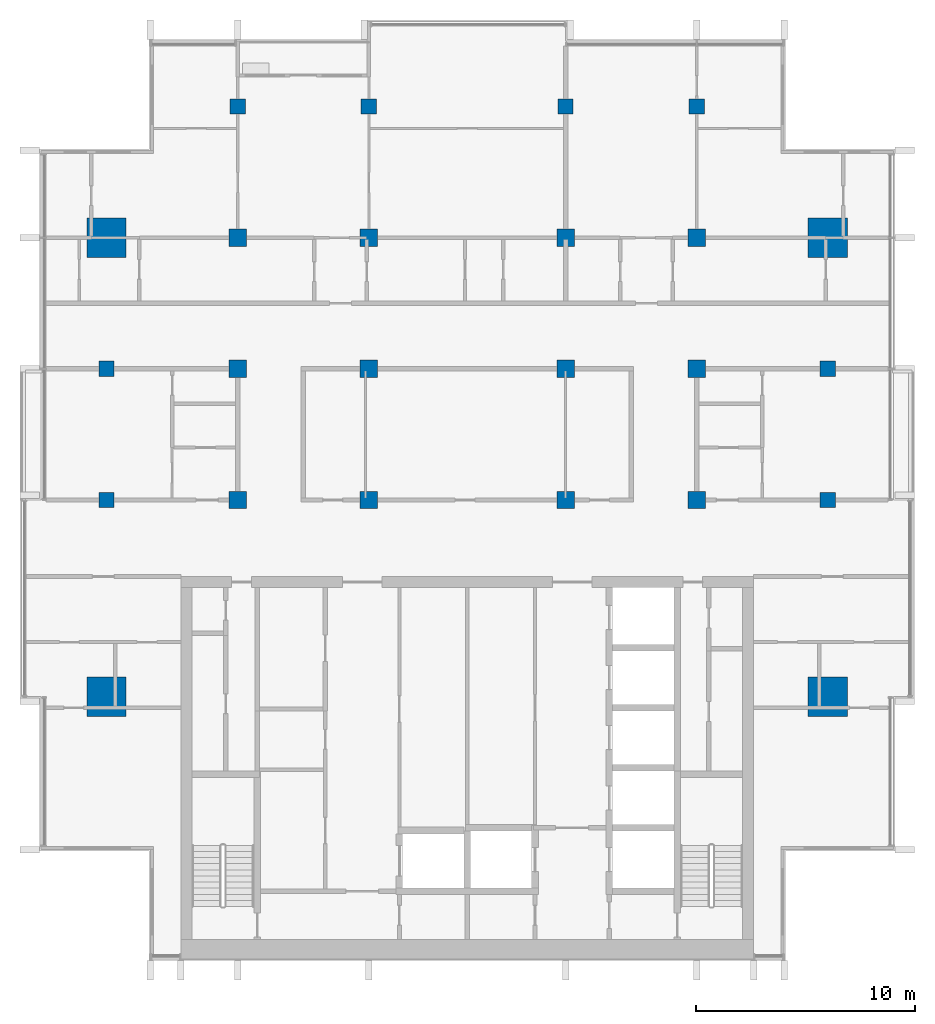
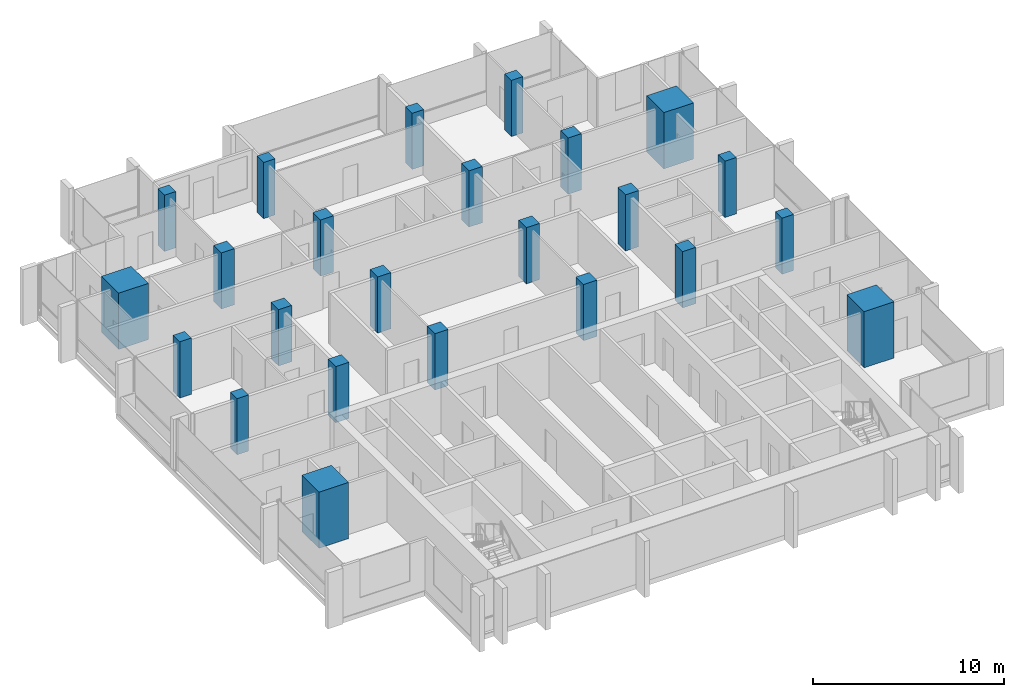
# One storey, part 1 of 16: 24 columns.
"""IFC4 building model written with IfcOpenShell, lengths in metres."""

from ifc_helpers import new_model, si_unit, direction, frame, origin, origin_2d, place, context, subcontext, project, spatial, rectangle, extrude, material, material_profile, profile_set, type_object, element, save


model = new_model("IFC4")

# Units and contexts
model_context = context("Model", 3, precision=1e-05, world=origin(), true_north=direction((0.0, 1.0)))
body_context = subcontext(model_context, "Body", "Model", "MODEL_VIEW")
ifc_project = project(units=[si_unit("LENGTHUNIT", "METRE"), si_unit("AREAUNIT", "SQUARE_METRE"), si_unit("VOLUMEUNIT", "CUBIC_METRE"), si_unit("PLANEANGLEUNIT", "RADIAN"), si_unit("MASSUNIT", "GRAM", prefix="KILO")], contexts=[model_context])

# Site, building, storey
site_placement = place(None, origin())
site = spatial("IfcSite", under=ifc_project, at=site_placement, CompositionType="ELEMENT")
building_placement = place(site_placement, origin())
building = spatial("IfcBuilding", under=site, at=building_placement, Name="Finial Court Residences", CompositionType="ELEMENT")
storey_placement = place(building_placement, frame((0.0, 0.0, 277.10009765625)))
storey = spatial("IfcBuildingStorey", under=building, at=storey_placement, Name="L70", CompositionType="ELEMENT", Elevation=277.10009765625)

# Columns
ifc_material = material(Name="Concrete C50/60", Category="concrete")
ifc_material_profile_1 = material_profile(ifc_material, rectangle(XDim=0.800048828125, YDim=0.800048828125, at=origin_2d()), Name="800x800")
ifc_profile_set_1 = profile_set([ifc_material_profile_1], Name="Concrete C50/60")
column_type_1 = type_object("IfcColumnType", Name="Interior column 800x800 Concrete C50/60", PredefinedType="COLUMN", material=ifc_profile_set_1)
for number, where, z_axis, x_axis, name in (
    (1, (-10.5, -4.5, 0.0), (0.0, 0.0, 1.0), (1.0, 0.0, 0.0), "S:COL:L70:D4"),
    (2, (-10.5, 1.5, 0.0), (0.0, 0.0, 1.0), (1.0, 0.0, 0.0), "S:COL:L70:D5"),
    (3, (-10.5, 7.5, 0.0), (0.0, 0.0, 1.0), (1.0, 0.0, 0.0), "S:COL:L70:D6"),
    (4, (-4.5, -4.5, 0.0), (0.0, 0.0, 1.0), (1.0, 0.0, 0.0), "S:COL:L70:E4"),
    (5, (-4.5, 1.5, 0.0), (0.0, 0.0, 1.0), (1.0, 0.0, 0.0), "S:COL:L70:E5"),
    (6, (-4.5, 7.5, 0.0), (0.0, 0.0, 1.0), (1.0, 0.0, 0.0), "S:COL:L70:E6"),
    (7, (4.5, -4.5, 0.0), (0.0, 0.0, 1.0), (1.0, 0.0, 0.0), "S:COL:L70:F4"),
    (8, (4.5, 1.5, 0.0), (0.0, 0.0, 1.0), (1.0, 0.0, 0.0), "S:COL:L70:F5"),
    (9, (4.5, 7.5, 0.0), (0.0, 0.0, 1.0), (1.0, 0.0, 0.0), "S:COL:L70:F6"),
    (10, (10.5, -4.5, 0.0), (0.0, 0.0, 1.0), (1.0, 0.0, 0.0), "S:COL:L70:G4"),
    (11, (10.5, 1.5, 0.0), (0.0, 0.0, 1.0), (1.0, 0.0, 0.0), "S:COL:L70:G5"),
    (12, (10.5, 7.5, 0.0), (0.0, 0.0, 1.0), (1.0, 0.0, 0.0), "S:COL:L70:G6"),
):
    element("IfcColumn", number, at=place(storey_placement, frame(where, z_axis=z_axis, x_axis=x_axis)), inside=storey, type_object=column_type_1, Name=name, PredefinedType="COLUMN", context=body_context, shape_type="SweptSolid", body=[
        extrude(rectangle(XDim=0.800048828125, YDim=0.800048828125, at=origin_2d()), origin(), (0.0, 0.0, 1.0), 3.599853515625),
    ])
ifc_material_profile_2 = material_profile(ifc_material, rectangle(XDim=1.800048828125, YDim=1.800048828125, at=origin_2d()), Name="1800x1800")
ifc_profile_set_2 = profile_set([ifc_material_profile_2], Name="Concrete C50/60")
column_type_2 = type_object("IfcColumnType", Name="Mega column 1800x1800 Concrete C50/60", PredefinedType="COLUMN", material=ifc_profile_set_2)
for number, where, z_axis, x_axis, name in (
    (13, (-16.5, -13.5, 0.0), (0.0, 0.0, 1.0), (1.0, 0.0, 0.0), "S:COL:L70:C3"),
    (14, (-16.5, 7.5, 0.0), (0.0, 0.0, 1.0), (1.0, 0.0, 0.0), "S:COL:L70:C6"),
    (15, (16.5, -13.5, 0.0), (0.0, 0.0, 1.0), (1.0, 0.0, 0.0), "S:COL:L70:H3"),
    (16, (16.5, 7.5, 0.0), (0.0, 0.0, 1.0), (1.0, 0.0, 0.0), "S:COL:L70:H6"),
):
    element("IfcColumn", number, at=place(storey_placement, frame(where, z_axis=z_axis, x_axis=x_axis)), inside=storey, type_object=column_type_2, Name=name, PredefinedType="COLUMN", context=body_context, shape_type="SweptSolid", body=[
        extrude(rectangle(XDim=1.800048828125, YDim=1.800048828125, at=origin_2d()), origin(), (0.0, 0.0, 1.0), 3.599853515625),
    ])
ifc_material_profile_3 = material_profile(ifc_material, rectangle(XDim=0.699951171875, YDim=0.699951171875, at=origin_2d()), Name="700x700")
ifc_profile_set_3 = profile_set([ifc_material_profile_3], Name="Concrete C50/60")
column_type_3 = type_object("IfcColumnType", Name="Perimeter column 700x700 Concrete C50/60", PredefinedType="COLUMN", material=ifc_profile_set_3)
for number, where, z_axis, x_axis, name in (
    (17, (-16.5, -4.5, 0.0), (0.0, 0.0, 1.0), (1.0, 0.0, 0.0), "S:COL:L70:C4"),
    (18, (-16.5, 1.5, 0.0), (0.0, 0.0, 1.0), (1.0, 0.0, 0.0), "S:COL:L70:C5"),
    (19, (-10.5, 13.5, 0.0), (0.0, 0.0, 1.0), (1.0, 0.0, 0.0), "S:COL:L70:D7"),
    (20, (-4.5, 13.5, 0.0), (0.0, 0.0, 1.0), (1.0, 0.0, 0.0), "S:COL:L70:E7"),
    (21, (4.5, 13.5, 0.0), (0.0, 0.0, 1.0), (1.0, 0.0, 0.0), "S:COL:L70:F7"),
    (22, (10.5, 13.5, 0.0), (0.0, 0.0, 1.0), (1.0, 0.0, 0.0), "S:COL:L70:G7"),
    (23, (16.5, -4.5, 0.0), (0.0, 0.0, 1.0), (1.0, 0.0, 0.0), "S:COL:L70:H4"),
    (24, (16.5, 1.5, 0.0), (0.0, 0.0, 1.0), (1.0, 0.0, 0.0), "S:COL:L70:H5"),
):
    element("IfcColumn", number, at=place(storey_placement, frame(where, z_axis=z_axis, x_axis=x_axis)), inside=storey, type_object=column_type_3, Name=name, PredefinedType="COLUMN", context=body_context, shape_type="SweptSolid", body=[
        extrude(rectangle(XDim=0.699951171875, YDim=0.699951171875, at=origin_2d()), origin(), (0.0, 0.0, 1.0), 3.599853515625),
    ])

save(model, "model.ifc")
